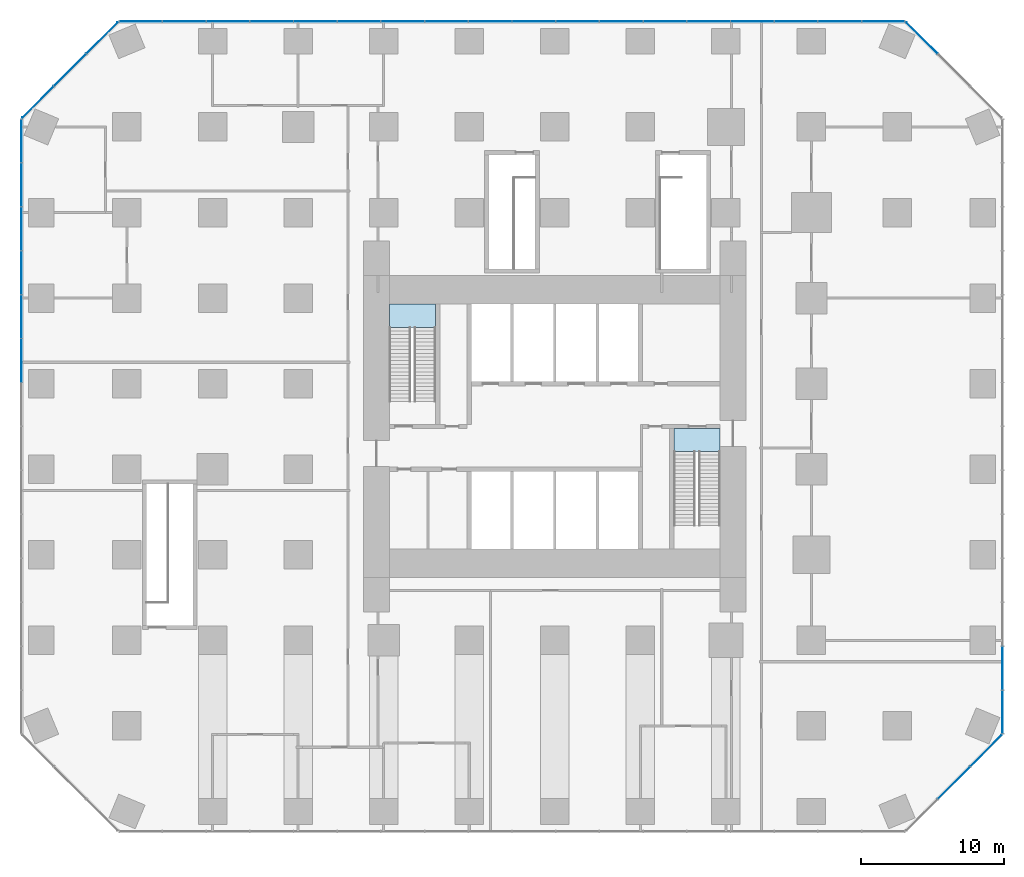
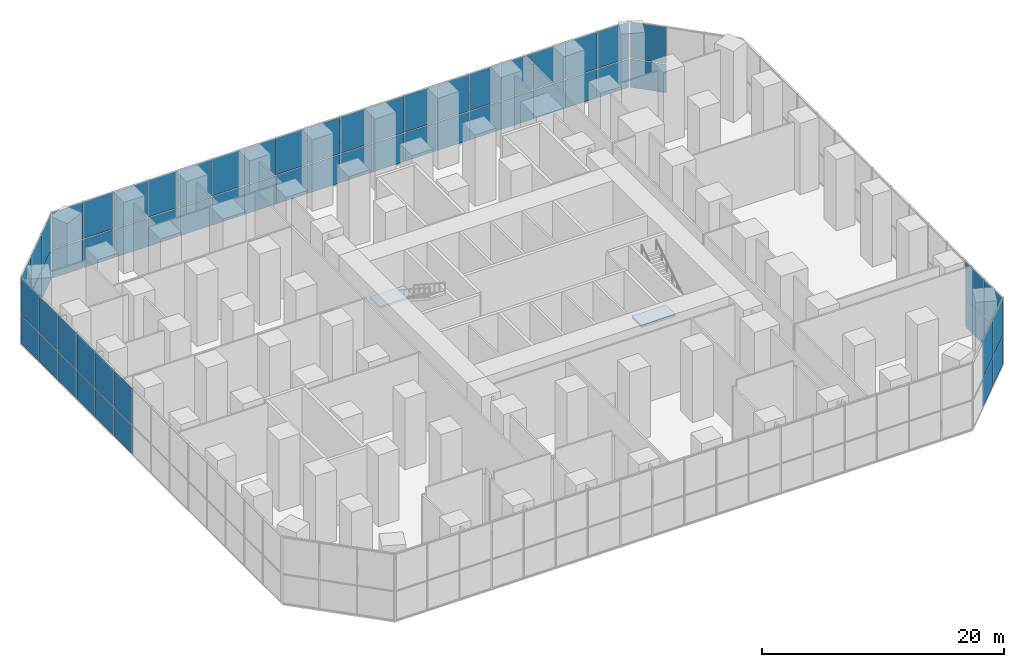
# One storey, part 10 of 16: 64 plates, 2 slabs, 8 elements without a shape of their own.
"""IFC4 building model written with IfcOpenShell, lengths in metres."""

from ifc_helpers import new_model, si_unit, direction, frame, origin, origin_2d, place, context, subcontext, project, spatial, polyline, rectangle, outline, extrude, material, layer, layer_set, type_object, element, aggregate, save


model = new_model("IFC4")

# Units and contexts
model_context = context("Model", 3, precision=1e-05, world=origin(), true_north=direction((0.0, 1.0)))
body_context = subcontext(model_context, "Body", "Model", "MODEL_VIEW")
ifc_project = project(units=[si_unit("LENGTHUNIT", "METRE"), si_unit("AREAUNIT", "SQUARE_METRE"), si_unit("VOLUMEUNIT", "CUBIC_METRE"), si_unit("PLANEANGLEUNIT", "RADIAN"), si_unit("MASSUNIT", "GRAM", prefix="KILO")], contexts=[model_context])

# Site, building, storey
site_placement = place(None, origin())
site = spatial("IfcSite", under=ifc_project, at=site_placement, CompositionType="ELEMENT")
building_placement = place(site_placement, origin())
building = spatial("IfcBuilding", under=site, at=building_placement, Name="Highveld Stack Headquarters", CompositionType="ELEMENT")
storey_placement = place(building_placement, frame((0.0, 0.0, 11.0)))
storey = spatial("IfcBuildingStorey", under=building, at=storey_placement, Name="L02", CompositionType="ELEMENT", Elevation=11.0)

# Curtain wall, plates
ifc_material_1 = material(Name="Aluminium bronze anodised", Category="aluminium")
ifc_layer_1 = layer(ifc_material_1, 0.199951171875)
ifc_layer_set_1 = layer_set([ifc_layer_1], Name="Aluminium bronze anodised")
curtain_wall_type = type_object("IfcCurtainWallType", Name="CW3 PODIUM STICK CURTAIN WALL", PredefinedType="NOTDEFINED", material=ifc_layer_set_1)
curtain_wall_1_placement = place(storey_placement, origin())
curtain_wall_1 = element("IfcCurtainWall", 1, at=curtain_wall_1_placement, inside=storey, type_object=curtain_wall_type, Name="Curtain wall CW3 L02 SE", PredefinedType="NOTDEFINED")
ifc_material_2 = material(Name="Glass clear low-iron double glazed unit", Category="glass")
ifc_layer_2 = layer(ifc_material_2, 0.035888671875)
ifc_layer_set_2 = layer_set([ifc_layer_2], Name="Glass clear low-iron double glazed unit")
plate_type = type_object("IfcPlateType", Name="CW3 PANEL CLEAR LOW-IRON DOUBLE GLAZED UNIT", PredefinedType="CURTAIN_PANEL", material=ifc_layer_set_2)
plate_1_placement = place(storey_placement, frame((33.989990234375, -21.989990234375, 0.099853515625), z_axis=(0.0, 0.0, 1.0), x_axis=(0.707106781187, 0.707106781187, 0.0)))
plate_1 = element("IfcPlate", 2, at=plate_1_placement, type_object=plate_type, Name="CW3 panel L02 2.1", PredefinedType="CURTAIN_PANEL", context=body_context, shape_type="SweptSolid", body=[
    extrude(rectangle(XDim=3.14990234375, YDim=0.035888671875, at=origin_2d()), origin(), (0.0, 0.0, 1.0), 2.85009765625),
])
plate_2_placement = place(storey_placement, frame((33.989990234375, -21.989990234375, 3.050048828125), z_axis=(0.0, 0.0, 1.0), x_axis=(0.707106781187, 0.707106781187, 0.0)))
plate_2 = element("IfcPlate", 3, at=plate_2_placement, type_object=plate_type, Name="CW3 panel L02 2.2", PredefinedType="CURTAIN_PANEL", context=body_context, shape_type="SweptSolid", body=[
    extrude(rectangle(XDim=3.14990234375, YDim=0.035888671875, at=origin_2d()), origin(), (0.0, 0.0, 1.0), 3.64990234375),
])
plate_3_placement = place(storey_placement, frame((36.239501953125, -19.740478515625, 0.099853515625), z_axis=(0.0, 0.0, 1.0), x_axis=(0.707106781187, 0.707106781187, 0.0)))
plate_3 = element("IfcPlate", 4, at=plate_3_placement, type_object=plate_type, Name="CW3 panel L02 3.1", PredefinedType="CURTAIN_PANEL", context=body_context, shape_type="SweptSolid", body=[
    extrude(rectangle(XDim=3.08251953125, YDim=0.035888671875, at=origin_2d()), origin(), (0.0, 0.0, 1.0), 2.85009765625),
])
plate_4_placement = place(storey_placement, frame((36.239501953125, -19.740478515625, 3.050048828125), z_axis=(0.0, 0.0, 1.0), x_axis=(0.707106781187, 0.707106781187, 0.0)))
plate_4 = element("IfcPlate", 5, at=plate_4_placement, type_object=plate_type, Name="CW3 panel L02 3.2", PredefinedType="CURTAIN_PANEL", context=body_context, shape_type="SweptSolid", body=[
    extrude(rectangle(XDim=3.08251953125, YDim=0.035888671875, at=origin_2d()), origin(), (0.0, 0.0, 1.0), 3.64990234375),
])
aggregate(curtain_wall_1, [plate_1, plate_2, plate_3, plate_4])

curtain_wall_2_placement = place(storey_placement, origin())
curtain_wall_2 = element("IfcCurtainWall", 6, at=curtain_wall_2_placement, inside=storey, type_object=curtain_wall_type, Name="Curtain wall CW3 L02 E", PredefinedType="NOTDEFINED")
plate_5_placement = place(storey_placement, frame((37.39990234375, -17.022216796875, 0.099853515625), z_axis=(0.0, 0.0, 1.0), x_axis=(0.0, 1.0, 0.0)))
plate_5 = element("IfcPlate", 7, at=plate_5_placement, type_object=plate_type, Name="CW3 panel L02 1.1", PredefinedType="CURTAIN_PANEL", context=body_context, shape_type="SweptSolid", body=[
    extrude(rectangle(XDim=2.9853515625, YDim=0.035888671875, at=origin_2d()), origin(), (0.0, 0.0, 1.0), 2.85009765625),
])
plate_6_placement = place(storey_placement, frame((37.39990234375, -17.022216796875, 3.050048828125), z_axis=(0.0, 0.0, 1.0), x_axis=(0.0, 1.0, 0.0)))
plate_6 = element("IfcPlate", 8, at=plate_6_placement, type_object=plate_type, Name="CW3 panel L02 1.2", PredefinedType="CURTAIN_PANEL", context=body_context, shape_type="SweptSolid", body=[
    extrude(rectangle(XDim=2.9853515625, YDim=0.035888671875, at=origin_2d()), origin(), (0.0, 0.0, 1.0), 3.64990234375),
])
plate_7_placement = place(storey_placement, frame((37.39990234375, -13.95556640625, 0.099853515625), z_axis=(0.0, 0.0, 1.0), x_axis=(0.0, 1.0, 0.0)))
plate_7 = element("IfcPlate", 9, at=plate_7_placement, type_object=plate_type, Name="CW3 panel L02 2.1", PredefinedType="CURTAIN_PANEL", context=body_context, shape_type="SweptSolid", body=[
    extrude(rectangle(XDim=3.017822265625, YDim=0.035888671875, at=origin_2d()), origin(), (0.0, 0.0, 1.0), 2.85009765625),
])
plate_8_placement = place(storey_placement, frame((37.39990234375, -13.95556640625, 3.050048828125), z_axis=(0.0, 0.0, 1.0), x_axis=(0.0, 1.0, 0.0)))
plate_8 = element("IfcPlate", 10, at=plate_8_placement, type_object=plate_type, Name="CW3 panel L02 2.2", PredefinedType="CURTAIN_PANEL", context=body_context, shape_type="SweptSolid", body=[
    extrude(rectangle(XDim=3.017822265625, YDim=0.035888671875, at=origin_2d()), origin(), (0.0, 0.0, 1.0), 3.64990234375),
])
aggregate(curtain_wall_2, [plate_5, plate_6, plate_7, plate_8])

curtain_wall_3_placement = place(storey_placement, origin())
curtain_wall_3 = element("IfcCurtainWall", 11, at=curtain_wall_3_placement, inside=storey, type_object=curtain_wall_type, Name="Curtain wall CW3 L02 NE", PredefinedType="NOTDEFINED")
plate_9_placement = place(storey_placement, frame((31.740478515625, 30.239501953125, 0.099853515625), z_axis=(0.0, 0.0, 1.0), x_axis=(-0.707106781187, 0.707106781187, 0.0)))
plate_9 = element("IfcPlate", 12, at=plate_9_placement, type_object=plate_type, Name="CW3 panel L02 3.1", PredefinedType="CURTAIN_PANEL", context=body_context, shape_type="SweptSolid", body=[
    extrude(rectangle(XDim=3.08251953125, YDim=0.035888671875, at=origin_2d()), origin(), (0.0, 0.0, 1.0), 2.85009765625),
])
plate_10_placement = place(storey_placement, frame((31.740478515625, 30.239501953125, 3.050048828125), z_axis=(0.0, 0.0, 1.0), x_axis=(-0.707106781187, 0.707106781187, 0.0)))
plate_10 = element("IfcPlate", 13, at=plate_10_placement, type_object=plate_type, Name="CW3 panel L02 3.2", PredefinedType="CURTAIN_PANEL", context=body_context, shape_type="SweptSolid", body=[
    extrude(rectangle(XDim=3.08251953125, YDim=0.035888671875, at=origin_2d()), origin(), (0.0, 0.0, 1.0), 3.64990234375),
])
aggregate(curtain_wall_3, [plate_9, plate_10])

curtain_wall_4_placement = place(storey_placement, origin())
curtain_wall_4 = element("IfcCurtainWall", 14, at=curtain_wall_4_placement, inside=storey, type_object=curtain_wall_type, Name="Curtain wall CW3 L02 N", PredefinedType="NOTDEFINED")
plate_11_placement = place(storey_placement, frame((29.031494140625, 31.39990234375, 0.099853515625), z_axis=(0.0, 0.0, 1.0), x_axis=(-1.0, 0.0, 0.0)))
plate_11 = element("IfcPlate", 15, at=plate_11_placement, type_object=plate_type, Name="CW3 panel L02 1.1", PredefinedType="CURTAIN_PANEL", context=body_context, shape_type="SweptSolid", body=[
    extrude(rectangle(XDim=2.966796875, YDim=0.035888671875, at=origin_2d()), origin(), (0.0, 0.0, 1.0), 2.85009765625),
])
plate_12_placement = place(storey_placement, frame((29.031494140625, 31.39990234375, 3.050048828125), z_axis=(0.0, 0.0, 1.0), x_axis=(-1.0, 0.0, 0.0)))
plate_12 = element("IfcPlate", 16, at=plate_12_placement, type_object=plate_type, Name="CW3 panel L02 1.2", PredefinedType="CURTAIN_PANEL", context=body_context, shape_type="SweptSolid", body=[
    extrude(rectangle(XDim=2.966796875, YDim=0.035888671875, at=origin_2d()), origin(), (0.0, 0.0, 1.0), 3.64990234375),
])
plate_13_placement = place(storey_placement, frame((25.983154296875, 31.39990234375, 0.099853515625), z_axis=(0.0, 0.0, 1.0), x_axis=(-1.0, 0.0, 0.0)))
plate_13 = element("IfcPlate", 17, at=plate_13_placement, type_object=plate_type, Name="CW3 panel L02 2.1", PredefinedType="CURTAIN_PANEL", context=body_context, shape_type="SweptSolid", body=[
    extrude(rectangle(XDim=2.99951171875, YDim=0.035888671875, at=origin_2d()), origin(), (0.0, 0.0, 1.0), 2.85009765625),
])
plate_14_placement = place(storey_placement, frame((25.983154296875, 31.39990234375, 3.050048828125), z_axis=(0.0, 0.0, 1.0), x_axis=(-1.0, 0.0, 0.0)))
plate_14 = element("IfcPlate", 18, at=plate_14_placement, type_object=plate_type, Name="CW3 panel L02 2.2", PredefinedType="CURTAIN_PANEL", context=body_context, shape_type="SweptSolid", body=[
    extrude(rectangle(XDim=2.99951171875, YDim=0.035888671875, at=origin_2d()), origin(), (0.0, 0.0, 1.0), 3.64990234375),
])
plate_15_placement = place(storey_placement, frame((22.918701171875, 31.39990234375, 0.099853515625), z_axis=(0.0, 0.0, 1.0), x_axis=(-1.0, 0.0, 0.0)))
plate_15 = element("IfcPlate", 19, at=plate_15_placement, type_object=plate_type, Name="CW3 panel L02 3.1", PredefinedType="CURTAIN_PANEL", context=body_context, shape_type="SweptSolid", body=[
    extrude(rectangle(XDim=2.99951171875, YDim=0.035888671875, at=origin_2d()), origin(), (0.0, 0.0, 1.0), 2.85009765625),
])
plate_16_placement = place(storey_placement, frame((22.918701171875, 31.39990234375, 3.050048828125), z_axis=(0.0, 0.0, 1.0), x_axis=(-1.0, 0.0, 0.0)))
plate_16 = element("IfcPlate", 20, at=plate_16_placement, type_object=plate_type, Name="CW3 panel L02 3.2", PredefinedType="CURTAIN_PANEL", context=body_context, shape_type="SweptSolid", body=[
    extrude(rectangle(XDim=2.99951171875, YDim=0.035888671875, at=origin_2d()), origin(), (0.0, 0.0, 1.0), 3.64990234375),
])
plate_17_placement = place(storey_placement, frame((19.8544921875, 31.39990234375, 0.099853515625), z_axis=(0.0, 0.0, 1.0), x_axis=(-1.0, 0.0, 0.0)))
plate_17 = element("IfcPlate", 21, at=plate_17_placement, type_object=plate_type, Name="CW3 panel L02 4.1", PredefinedType="CURTAIN_PANEL", context=body_context, shape_type="SweptSolid", body=[
    extrude(rectangle(XDim=2.99951171875, YDim=0.035888671875, at=origin_2d()), origin(), (0.0, 0.0, 1.0), 2.85009765625),
])
plate_18_placement = place(storey_placement, frame((19.8544921875, 31.39990234375, 3.050048828125), z_axis=(0.0, 0.0, 1.0), x_axis=(-1.0, 0.0, 0.0)))
plate_18 = element("IfcPlate", 22, at=plate_18_placement, type_object=plate_type, Name="CW3 panel L02 4.2", PredefinedType="CURTAIN_PANEL", context=body_context, shape_type="SweptSolid", body=[
    extrude(rectangle(XDim=2.99951171875, YDim=0.035888671875, at=origin_2d()), origin(), (0.0, 0.0, 1.0), 3.64990234375),
])
plate_19_placement = place(storey_placement, frame((16.789794921875, 31.39990234375, 0.099853515625), z_axis=(0.0, 0.0, 1.0), x_axis=(-1.0, 0.0, 0.0)))
plate_19 = element("IfcPlate", 23, at=plate_19_placement, type_object=plate_type, Name="CW3 panel L02 5.1", PredefinedType="CURTAIN_PANEL", context=body_context, shape_type="SweptSolid", body=[
    extrude(rectangle(XDim=2.99951171875, YDim=0.035888671875, at=origin_2d()), origin(), (0.0, 0.0, 1.0), 2.85009765625),
])
plate_20_placement = place(storey_placement, frame((16.789794921875, 31.39990234375, 3.050048828125), z_axis=(0.0, 0.0, 1.0), x_axis=(-1.0, 0.0, 0.0)))
plate_20 = element("IfcPlate", 24, at=plate_20_placement, type_object=plate_type, Name="CW3 panel L02 5.2", PredefinedType="CURTAIN_PANEL", context=body_context, shape_type="SweptSolid", body=[
    extrude(rectangle(XDim=2.99951171875, YDim=0.035888671875, at=origin_2d()), origin(), (0.0, 0.0, 1.0), 3.64990234375),
])
plate_21_placement = place(storey_placement, frame((13.7255859375, 31.39990234375, 0.099853515625), z_axis=(0.0, 0.0, 1.0), x_axis=(-1.0, 0.0, 0.0)))
plate_21 = element("IfcPlate", 25, at=plate_21_placement, type_object=plate_type, Name="CW3 panel L02 6.1", PredefinedType="CURTAIN_PANEL", context=body_context, shape_type="SweptSolid", body=[
    extrude(rectangle(XDim=2.99951171875, YDim=0.035888671875, at=origin_2d()), origin(), (0.0, 0.0, 1.0), 2.85009765625),
])
plate_22_placement = place(storey_placement, frame((13.7255859375, 31.39990234375, 3.050048828125), z_axis=(0.0, 0.0, 1.0), x_axis=(-1.0, 0.0, 0.0)))
plate_22 = element("IfcPlate", 26, at=plate_22_placement, type_object=plate_type, Name="CW3 panel L02 6.2", PredefinedType="CURTAIN_PANEL", context=body_context, shape_type="SweptSolid", body=[
    extrude(rectangle(XDim=2.99951171875, YDim=0.035888671875, at=origin_2d()), origin(), (0.0, 0.0, 1.0), 3.64990234375),
])
plate_23_placement = place(storey_placement, frame((10.6611328125, 31.39990234375, 0.099853515625), z_axis=(0.0, 0.0, 1.0), x_axis=(-1.0, 0.0, 0.0)))
plate_23 = element("IfcPlate", 27, at=plate_23_placement, type_object=plate_type, Name="CW3 panel L02 7.1", PredefinedType="CURTAIN_PANEL", context=body_context, shape_type="SweptSolid", body=[
    extrude(rectangle(XDim=2.99951171875, YDim=0.035888671875, at=origin_2d()), origin(), (0.0, 0.0, 1.0), 2.85009765625),
])
plate_24_placement = place(storey_placement, frame((10.6611328125, 31.39990234375, 3.050048828125), z_axis=(0.0, 0.0, 1.0), x_axis=(-1.0, 0.0, 0.0)))
plate_24 = element("IfcPlate", 28, at=plate_24_placement, type_object=plate_type, Name="CW3 panel L02 7.2", PredefinedType="CURTAIN_PANEL", context=body_context, shape_type="SweptSolid", body=[
    extrude(rectangle(XDim=2.99951171875, YDim=0.035888671875, at=origin_2d()), origin(), (0.0, 0.0, 1.0), 3.64990234375),
])
plate_25_placement = place(storey_placement, frame((7.5966796875, 31.39990234375, 0.099853515625), z_axis=(0.0, 0.0, 1.0), x_axis=(-1.0, 0.0, 0.0)))
plate_25 = element("IfcPlate", 29, at=plate_25_placement, type_object=plate_type, Name="CW3 panel L02 8.1", PredefinedType="CURTAIN_PANEL", context=body_context, shape_type="SweptSolid", body=[
    extrude(rectangle(XDim=2.99951171875, YDim=0.035888671875, at=origin_2d()), origin(), (0.0, 0.0, 1.0), 2.85009765625),
])
plate_26_placement = place(storey_placement, frame((7.5966796875, 31.39990234375, 3.050048828125), z_axis=(0.0, 0.0, 1.0), x_axis=(-1.0, 0.0, 0.0)))
plate_26 = element("IfcPlate", 30, at=plate_26_placement, type_object=plate_type, Name="CW3 panel L02 8.2", PredefinedType="CURTAIN_PANEL", context=body_context, shape_type="SweptSolid", body=[
    extrude(rectangle(XDim=2.99951171875, YDim=0.035888671875, at=origin_2d()), origin(), (0.0, 0.0, 1.0), 3.64990234375),
])
plate_27_placement = place(storey_placement, frame((4.5322265625, 31.39990234375, 0.099853515625), z_axis=(0.0, 0.0, 1.0), x_axis=(-1.0, 0.0, 0.0)))
plate_27 = element("IfcPlate", 31, at=plate_27_placement, type_object=plate_type, Name="CW3 panel L02 9.1", PredefinedType="CURTAIN_PANEL", context=body_context, shape_type="SweptSolid", body=[
    extrude(rectangle(XDim=2.99951171875, YDim=0.035888671875, at=origin_2d()), origin(), (0.0, 0.0, 1.0), 2.85009765625),
])
plate_28_placement = place(storey_placement, frame((4.5322265625, 31.39990234375, 3.050048828125), z_axis=(0.0, 0.0, 1.0), x_axis=(-1.0, 0.0, 0.0)))
plate_28 = element("IfcPlate", 32, at=plate_28_placement, type_object=plate_type, Name="CW3 panel L02 9.2", PredefinedType="CURTAIN_PANEL", context=body_context, shape_type="SweptSolid", body=[
    extrude(rectangle(XDim=2.99951171875, YDim=0.035888671875, at=origin_2d()), origin(), (0.0, 0.0, 1.0), 3.64990234375),
])
plate_29_placement = place(storey_placement, frame((1.4677734375, 31.39990234375, 0.099853515625), z_axis=(0.0, 0.0, 1.0), x_axis=(-1.0, 0.0, 0.0)))
plate_29 = element("IfcPlate", 33, at=plate_29_placement, type_object=plate_type, Name="CW3 panel L02 10.1", PredefinedType="CURTAIN_PANEL", context=body_context, shape_type="SweptSolid", body=[
    extrude(rectangle(XDim=2.99951171875, YDim=0.035888671875, at=origin_2d()), origin(), (0.0, 0.0, 1.0), 2.85009765625),
])
plate_30_placement = place(storey_placement, frame((1.4677734375, 31.39990234375, 3.050048828125), z_axis=(0.0, 0.0, 1.0), x_axis=(-1.0, 0.0, 0.0)))
plate_30 = element("IfcPlate", 34, at=plate_30_placement, type_object=plate_type, Name="CW3 panel L02 10.2", PredefinedType="CURTAIN_PANEL", context=body_context, shape_type="SweptSolid", body=[
    extrude(rectangle(XDim=2.99951171875, YDim=0.035888671875, at=origin_2d()), origin(), (0.0, 0.0, 1.0), 3.64990234375),
])
plate_31_placement = place(storey_placement, frame((-1.5966796875, 31.39990234375, 0.099853515625), z_axis=(0.0, 0.0, 1.0), x_axis=(-1.0, 0.0, 0.0)))
plate_31 = element("IfcPlate", 35, at=plate_31_placement, type_object=plate_type, Name="CW3 panel L02 11.1", PredefinedType="CURTAIN_PANEL", context=body_context, shape_type="SweptSolid", body=[
    extrude(rectangle(XDim=2.99951171875, YDim=0.035888671875, at=origin_2d()), origin(), (0.0, 0.0, 1.0), 2.85009765625),
])
plate_32_placement = place(storey_placement, frame((-1.5966796875, 31.39990234375, 3.050048828125), z_axis=(0.0, 0.0, 1.0), x_axis=(-1.0, 0.0, 0.0)))
plate_32 = element("IfcPlate", 36, at=plate_32_placement, type_object=plate_type, Name="CW3 panel L02 11.2", PredefinedType="CURTAIN_PANEL", context=body_context, shape_type="SweptSolid", body=[
    extrude(rectangle(XDim=2.99951171875, YDim=0.035888671875, at=origin_2d()), origin(), (0.0, 0.0, 1.0), 3.64990234375),
])
plate_33_placement = place(storey_placement, frame((-4.6611328125, 31.39990234375, 0.099853515625), z_axis=(0.0, 0.0, 1.0), x_axis=(-1.0, 0.0, 0.0)))
plate_33 = element("IfcPlate", 37, at=plate_33_placement, type_object=plate_type, Name="CW3 panel L02 12.1", PredefinedType="CURTAIN_PANEL", context=body_context, shape_type="SweptSolid", body=[
    extrude(rectangle(XDim=2.99951171875, YDim=0.035888671875, at=origin_2d()), origin(), (0.0, 0.0, 1.0), 2.85009765625),
])
plate_34_placement = place(storey_placement, frame((-4.6611328125, 31.39990234375, 3.050048828125), z_axis=(0.0, 0.0, 1.0), x_axis=(-1.0, 0.0, 0.0)))
plate_34 = element("IfcPlate", 38, at=plate_34_placement, type_object=plate_type, Name="CW3 panel L02 12.2", PredefinedType="CURTAIN_PANEL", context=body_context, shape_type="SweptSolid", body=[
    extrude(rectangle(XDim=2.99951171875, YDim=0.035888671875, at=origin_2d()), origin(), (0.0, 0.0, 1.0), 3.64990234375),
])
plate_35_placement = place(storey_placement, frame((-7.7255859375, 31.39990234375, 0.099853515625), z_axis=(0.0, 0.0, 1.0), x_axis=(-1.0, 0.0, 0.0)))
plate_35 = element("IfcPlate", 39, at=plate_35_placement, type_object=plate_type, Name="CW3 panel L02 13.1", PredefinedType="CURTAIN_PANEL", context=body_context, shape_type="SweptSolid", body=[
    extrude(rectangle(XDim=2.99951171875, YDim=0.035888671875, at=origin_2d()), origin(), (0.0, 0.0, 1.0), 2.85009765625),
])
plate_36_placement = place(storey_placement, frame((-7.7255859375, 31.39990234375, 3.050048828125), z_axis=(0.0, 0.0, 1.0), x_axis=(-1.0, 0.0, 0.0)))
plate_36 = element("IfcPlate", 40, at=plate_36_placement, type_object=plate_type, Name="CW3 panel L02 13.2", PredefinedType="CURTAIN_PANEL", context=body_context, shape_type="SweptSolid", body=[
    extrude(rectangle(XDim=2.99951171875, YDim=0.035888671875, at=origin_2d()), origin(), (0.0, 0.0, 1.0), 3.64990234375),
])
plate_37_placement = place(storey_placement, frame((-10.7900390625, 31.39990234375, 0.099853515625), z_axis=(0.0, 0.0, 1.0), x_axis=(-1.0, 0.0, 0.0)))
plate_37 = element("IfcPlate", 41, at=plate_37_placement, type_object=plate_type, Name="CW3 panel L02 14.1", PredefinedType="CURTAIN_PANEL", context=body_context, shape_type="SweptSolid", body=[
    extrude(rectangle(XDim=2.99951171875, YDim=0.035888671875, at=origin_2d()), origin(), (0.0, 0.0, 1.0), 2.85009765625),
])
plate_38_placement = place(storey_placement, frame((-10.7900390625, 31.39990234375, 3.050048828125), z_axis=(0.0, 0.0, 1.0), x_axis=(-1.0, 0.0, 0.0)))
plate_38 = element("IfcPlate", 42, at=plate_38_placement, type_object=plate_type, Name="CW3 panel L02 14.2", PredefinedType="CURTAIN_PANEL", context=body_context, shape_type="SweptSolid", body=[
    extrude(rectangle(XDim=2.99951171875, YDim=0.035888671875, at=origin_2d()), origin(), (0.0, 0.0, 1.0), 3.64990234375),
])
plate_39_placement = place(storey_placement, frame((-13.8544921875, 31.39990234375, 0.099853515625), z_axis=(0.0, 0.0, 1.0), x_axis=(-1.0, 0.0, 0.0)))
plate_39 = element("IfcPlate", 43, at=plate_39_placement, type_object=plate_type, Name="CW3 panel L02 15.1", PredefinedType="CURTAIN_PANEL", context=body_context, shape_type="SweptSolid", body=[
    extrude(rectangle(XDim=2.99951171875, YDim=0.035888671875, at=origin_2d()), origin(), (0.0, 0.0, 1.0), 2.85009765625),
])
plate_40_placement = place(storey_placement, frame((-13.8544921875, 31.39990234375, 3.050048828125), z_axis=(0.0, 0.0, 1.0), x_axis=(-1.0, 0.0, 0.0)))
plate_40 = element("IfcPlate", 44, at=plate_40_placement, type_object=plate_type, Name="CW3 panel L02 15.2", PredefinedType="CURTAIN_PANEL", context=body_context, shape_type="SweptSolid", body=[
    extrude(rectangle(XDim=2.99951171875, YDim=0.035888671875, at=origin_2d()), origin(), (0.0, 0.0, 1.0), 3.64990234375),
])
plate_41_placement = place(storey_placement, frame((-16.918701171875, 31.39990234375, 0.099853515625), z_axis=(0.0, 0.0, 1.0), x_axis=(-1.0, 0.0, 0.0)))
plate_41 = element("IfcPlate", 45, at=plate_41_placement, type_object=plate_type, Name="CW3 panel L02 16.1", PredefinedType="CURTAIN_PANEL", context=body_context, shape_type="SweptSolid", body=[
    extrude(rectangle(XDim=2.99951171875, YDim=0.035888671875, at=origin_2d()), origin(), (0.0, 0.0, 1.0), 2.85009765625),
])
plate_42_placement = place(storey_placement, frame((-16.918701171875, 31.39990234375, 3.050048828125), z_axis=(0.0, 0.0, 1.0), x_axis=(-1.0, 0.0, 0.0)))
plate_42 = element("IfcPlate", 46, at=plate_42_placement, type_object=plate_type, Name="CW3 panel L02 16.2", PredefinedType="CURTAIN_PANEL", context=body_context, shape_type="SweptSolid", body=[
    extrude(rectangle(XDim=2.99951171875, YDim=0.035888671875, at=origin_2d()), origin(), (0.0, 0.0, 1.0), 3.64990234375),
])
plate_43_placement = place(storey_placement, frame((-19.983154296875, 31.39990234375, 0.099853515625), z_axis=(0.0, 0.0, 1.0), x_axis=(-1.0, 0.0, 0.0)))
plate_43 = element("IfcPlate", 47, at=plate_43_placement, type_object=plate_type, Name="CW3 panel L02 17.1", PredefinedType="CURTAIN_PANEL", context=body_context, shape_type="SweptSolid", body=[
    extrude(rectangle(XDim=2.99951171875, YDim=0.035888671875, at=origin_2d()), origin(), (0.0, 0.0, 1.0), 2.85009765625),
])
plate_44_placement = place(storey_placement, frame((-19.983154296875, 31.39990234375, 3.050048828125), z_axis=(0.0, 0.0, 1.0), x_axis=(-1.0, 0.0, 0.0)))
plate_44 = element("IfcPlate", 48, at=plate_44_placement, type_object=plate_type, Name="CW3 panel L02 17.2", PredefinedType="CURTAIN_PANEL", context=body_context, shape_type="SweptSolid", body=[
    extrude(rectangle(XDim=2.99951171875, YDim=0.035888671875, at=origin_2d()), origin(), (0.0, 0.0, 1.0), 3.64990234375),
])
plate_45_placement = place(storey_placement, frame((-23.031494140625, 31.39990234375, 0.099853515625), z_axis=(0.0, 0.0, 1.0), x_axis=(-1.0, 0.0, 0.0)))
plate_45 = element("IfcPlate", 49, at=plate_45_placement, type_object=plate_type, Name="CW3 panel L02 18.1", PredefinedType="CURTAIN_PANEL", context=body_context, shape_type="SweptSolid", body=[
    extrude(rectangle(XDim=2.966796875, YDim=0.035888671875, at=origin_2d()), origin(), (0.0, 0.0, 1.0), 2.85009765625),
])
plate_46_placement = place(storey_placement, frame((-23.031494140625, 31.39990234375, 3.050048828125), z_axis=(0.0, 0.0, 1.0), x_axis=(-1.0, 0.0, 0.0)))
plate_46 = element("IfcPlate", 50, at=plate_46_placement, type_object=plate_type, Name="CW3 panel L02 18.2", PredefinedType="CURTAIN_PANEL", context=body_context, shape_type="SweptSolid", body=[
    extrude(rectangle(XDim=2.966796875, YDim=0.035888671875, at=origin_2d()), origin(), (0.0, 0.0, 1.0), 3.64990234375),
])
aggregate(curtain_wall_4, [plate_11, plate_12, plate_13, plate_14, plate_15, plate_16, plate_17, plate_18, plate_19, plate_20, plate_21, plate_22, plate_23, plate_24, plate_25, plate_26, plate_27, plate_28, plate_29, plate_30, plate_31, plate_32, plate_33, plate_34, plate_35, plate_36, plate_37, plate_38, plate_39, plate_40, plate_41, plate_42, plate_43, plate_44, plate_45, plate_46])

curtain_wall_5_placement = place(storey_placement, origin())
curtain_wall_5 = element("IfcCurtainWall", 51, at=curtain_wall_5_placement, inside=storey, type_object=curtain_wall_type, Name="Curtain wall CW3 L02 NW", PredefinedType="NOTDEFINED")
plate_47_placement = place(storey_placement, frame((-25.740478515625, 30.239501953125, 0.099853515625), z_axis=(0.0, 0.0, 1.0), x_axis=(-0.707106781187, -0.707106781187, 0.0)))
plate_47 = element("IfcPlate", 52, at=plate_47_placement, type_object=plate_type, Name="CW3 panel L02 1.1", PredefinedType="CURTAIN_PANEL", context=body_context, shape_type="SweptSolid", body=[
    extrude(rectangle(XDim=3.08251953125, YDim=0.035888671875, at=origin_2d()), origin(), (0.0, 0.0, 1.0), 2.85009765625),
])
plate_48_placement = place(storey_placement, frame((-25.740478515625, 30.239501953125, 3.050048828125), z_axis=(0.0, 0.0, 1.0), x_axis=(-0.707106781187, -0.707106781187, 0.0)))
plate_48 = element("IfcPlate", 53, at=plate_48_placement, type_object=plate_type, Name="CW3 panel L02 1.2", PredefinedType="CURTAIN_PANEL", context=body_context, shape_type="SweptSolid", body=[
    extrude(rectangle(XDim=3.08251953125, YDim=0.035888671875, at=origin_2d()), origin(), (0.0, 0.0, 1.0), 3.64990234375),
])
plate_49_placement = place(storey_placement, frame((-27.989990234375, 27.989990234375, 0.099853515625), z_axis=(0.0, 0.0, 1.0), x_axis=(-0.707106781187, -0.707106781187, 0.0)))
plate_49 = element("IfcPlate", 54, at=plate_49_placement, type_object=plate_type, Name="CW3 panel L02 2.1", PredefinedType="CURTAIN_PANEL", context=body_context, shape_type="SweptSolid", body=[
    extrude(rectangle(XDim=3.14990234375, YDim=0.035888671875, at=origin_2d()), origin(), (0.0, 0.0, 1.0), 2.85009765625),
])
plate_50_placement = place(storey_placement, frame((-27.989990234375, 27.989990234375, 3.050048828125), z_axis=(0.0, 0.0, 1.0), x_axis=(-0.707106781187, -0.707106781187, 0.0)))
plate_50 = element("IfcPlate", 55, at=plate_50_placement, type_object=plate_type, Name="CW3 panel L02 2.2", PredefinedType="CURTAIN_PANEL", context=body_context, shape_type="SweptSolid", body=[
    extrude(rectangle(XDim=3.14990234375, YDim=0.035888671875, at=origin_2d()), origin(), (0.0, 0.0, 1.0), 3.64990234375),
])
plate_51_placement = place(storey_placement, frame((-30.239501953125, 25.740478515625, 0.099853515625), z_axis=(0.0, 0.0, 1.0), x_axis=(-0.707106781187, -0.707106781187, 0.0)))
plate_51 = element("IfcPlate", 56, at=plate_51_placement, type_object=plate_type, Name="CW3 panel L02 3.1", PredefinedType="CURTAIN_PANEL", context=body_context, shape_type="SweptSolid", body=[
    extrude(rectangle(XDim=3.08251953125, YDim=0.035888671875, at=origin_2d()), origin(), (0.0, 0.0, 1.0), 2.85009765625),
])
plate_52_placement = place(storey_placement, frame((-30.239501953125, 25.740478515625, 3.050048828125), z_axis=(0.0, 0.0, 1.0), x_axis=(-0.707106781187, -0.707106781187, 0.0)))
plate_52 = element("IfcPlate", 57, at=plate_52_placement, type_object=plate_type, Name="CW3 panel L02 3.2", PredefinedType="CURTAIN_PANEL", context=body_context, shape_type="SweptSolid", body=[
    extrude(rectangle(XDim=3.08251953125, YDim=0.035888671875, at=origin_2d()), origin(), (0.0, 0.0, 1.0), 3.64990234375),
])
aggregate(curtain_wall_5, [plate_47, plate_48, plate_49, plate_50, plate_51, plate_52])

curtain_wall_6_placement = place(storey_placement, origin())
curtain_wall_6 = element("IfcCurtainWall", 58, at=curtain_wall_6_placement, inside=storey, type_object=curtain_wall_type, Name="Curtain wall CW3 L02 W", PredefinedType="NOTDEFINED")
plate_53_placement = place(storey_placement, frame((-31.39990234375, 23.022216796875, 0.099853515625), z_axis=(0.0, 0.0, 1.0), x_axis=(0.0, -1.0, 0.0)))
plate_53 = element("IfcPlate", 59, at=plate_53_placement, type_object=plate_type, Name="CW3 panel L02 1.1", PredefinedType="CURTAIN_PANEL", context=body_context, shape_type="SweptSolid", body=[
    extrude(rectangle(XDim=2.9853515625, YDim=0.035888671875, at=origin_2d()), origin(), (0.0, 0.0, 1.0), 2.85009765625),
])
plate_54_placement = place(storey_placement, frame((-31.39990234375, 23.022216796875, 3.050048828125), z_axis=(0.0, 0.0, 1.0), x_axis=(0.0, -1.0, 0.0)))
plate_54 = element("IfcPlate", 60, at=plate_54_placement, type_object=plate_type, Name="CW3 panel L02 1.2", PredefinedType="CURTAIN_PANEL", context=body_context, shape_type="SweptSolid", body=[
    extrude(rectangle(XDim=2.9853515625, YDim=0.035888671875, at=origin_2d()), origin(), (0.0, 0.0, 1.0), 3.64990234375),
])
plate_55_placement = place(storey_placement, frame((-31.39990234375, 19.95556640625, 0.099853515625), z_axis=(0.0, 0.0, 1.0), x_axis=(0.0, -1.0, 0.0)))
plate_55 = element("IfcPlate", 61, at=plate_55_placement, type_object=plate_type, Name="CW3 panel L02 2.1", PredefinedType="CURTAIN_PANEL", context=body_context, shape_type="SweptSolid", body=[
    extrude(rectangle(XDim=3.017822265625, YDim=0.035888671875, at=origin_2d()), origin(), (0.0, 0.0, 1.0), 2.85009765625),
])
plate_56_placement = place(storey_placement, frame((-31.39990234375, 19.95556640625, 3.050048828125), z_axis=(0.0, 0.0, 1.0), x_axis=(0.0, -1.0, 0.0)))
plate_56 = element("IfcPlate", 62, at=plate_56_placement, type_object=plate_type, Name="CW3 panel L02 2.2", PredefinedType="CURTAIN_PANEL", context=body_context, shape_type="SweptSolid", body=[
    extrude(rectangle(XDim=3.017822265625, YDim=0.035888671875, at=origin_2d()), origin(), (0.0, 0.0, 1.0), 3.64990234375),
])
plate_57_placement = place(storey_placement, frame((-31.39990234375, 16.872802734375, 0.099853515625), z_axis=(0.0, 0.0, 1.0), x_axis=(0.0, -1.0, 0.0)))
plate_57 = element("IfcPlate", 63, at=plate_57_placement, type_object=plate_type, Name="CW3 panel L02 3.1", PredefinedType="CURTAIN_PANEL", context=body_context, shape_type="SweptSolid", body=[
    extrude(rectangle(XDim=3.017822265625, YDim=0.035888671875, at=origin_2d()), origin(), (0.0, 0.0, 1.0), 2.85009765625),
])
plate_58_placement = place(storey_placement, frame((-31.39990234375, 16.872802734375, 3.050048828125), z_axis=(0.0, 0.0, 1.0), x_axis=(0.0, -1.0, 0.0)))
plate_58 = element("IfcPlate", 64, at=plate_58_placement, type_object=plate_type, Name="CW3 panel L02 3.2", PredefinedType="CURTAIN_PANEL", context=body_context, shape_type="SweptSolid", body=[
    extrude(rectangle(XDim=3.017822265625, YDim=0.035888671875, at=origin_2d()), origin(), (0.0, 0.0, 1.0), 3.64990234375),
])
plate_59_placement = place(storey_placement, frame((-31.39990234375, 13.789794921875, 0.099853515625), z_axis=(0.0, 0.0, 1.0), x_axis=(0.0, -1.0, 0.0)))
plate_59 = element("IfcPlate", 65, at=plate_59_placement, type_object=plate_type, Name="CW3 panel L02 4.1", PredefinedType="CURTAIN_PANEL", context=body_context, shape_type="SweptSolid", body=[
    extrude(rectangle(XDim=3.017822265625, YDim=0.035888671875, at=origin_2d()), origin(), (0.0, 0.0, 1.0), 2.85009765625),
])
plate_60_placement = place(storey_placement, frame((-31.39990234375, 13.789794921875, 3.050048828125), z_axis=(0.0, 0.0, 1.0), x_axis=(0.0, -1.0, 0.0)))
plate_60 = element("IfcPlate", 66, at=plate_60_placement, type_object=plate_type, Name="CW3 panel L02 4.2", PredefinedType="CURTAIN_PANEL", context=body_context, shape_type="SweptSolid", body=[
    extrude(rectangle(XDim=3.017822265625, YDim=0.035888671875, at=origin_2d()), origin(), (0.0, 0.0, 1.0), 3.64990234375),
])
plate_61_placement = place(storey_placement, frame((-31.39990234375, 10.70703125, 0.099853515625), z_axis=(0.0, 0.0, 1.0), x_axis=(0.0, -1.0, 0.0)))
plate_61 = element("IfcPlate", 67, at=plate_61_placement, type_object=plate_type, Name="CW3 panel L02 5.1", PredefinedType="CURTAIN_PANEL", context=body_context, shape_type="SweptSolid", body=[
    extrude(rectangle(XDim=3.017822265625, YDim=0.035888671875, at=origin_2d()), origin(), (0.0, 0.0, 1.0), 2.85009765625),
])
plate_62_placement = place(storey_placement, frame((-31.39990234375, 10.70703125, 3.050048828125), z_axis=(0.0, 0.0, 1.0), x_axis=(0.0, -1.0, 0.0)))
plate_62 = element("IfcPlate", 68, at=plate_62_placement, type_object=plate_type, Name="CW3 panel L02 5.2", PredefinedType="CURTAIN_PANEL", context=body_context, shape_type="SweptSolid", body=[
    extrude(rectangle(XDim=3.017822265625, YDim=0.035888671875, at=origin_2d()), origin(), (0.0, 0.0, 1.0), 3.64990234375),
])
plate_63_placement = place(storey_placement, frame((-31.39990234375, 7.624267578125, 0.099853515625), z_axis=(0.0, 0.0, 1.0), x_axis=(0.0, -1.0, 0.0)))
plate_63 = element("IfcPlate", 69, at=plate_63_placement, type_object=plate_type, Name="CW3 panel L02 6.1", PredefinedType="CURTAIN_PANEL", context=body_context, shape_type="SweptSolid", body=[
    extrude(rectangle(XDim=3.017822265625, YDim=0.035888671875, at=origin_2d()), origin(), (0.0, 0.0, 1.0), 2.85009765625),
])
plate_64_placement = place(storey_placement, frame((-31.39990234375, 7.624267578125, 3.050048828125), z_axis=(0.0, 0.0, 1.0), x_axis=(0.0, -1.0, 0.0)))
plate_64 = element("IfcPlate", 70, at=plate_64_placement, type_object=plate_type, Name="CW3 panel L02 6.2", PredefinedType="CURTAIN_PANEL", context=body_context, shape_type="SweptSolid", body=[
    extrude(rectangle(XDim=3.017822265625, YDim=0.035888671875, at=origin_2d()), origin(), (0.0, 0.0, 1.0), 3.64990234375),
])
aggregate(curtain_wall_6, [plate_53, plate_54, plate_55, plate_56, plate_57, plate_58, plate_59, plate_60, plate_61, plate_62, plate_63, plate_64])

# Stair, slab
ifc_material_3 = material(Name="Concrete C40/50, precast", Category="concrete")
stair_type_1 = type_object("IfcStairType", Name="STAIR S1 HALF TURN 1500", PredefinedType="HALF_TURN_STAIR", material=ifc_material_3)
stair_1_placement = place(storey_placement, origin())
stair_1 = element("IfcStair", 71, at=stair_1_placement, inside=storey, type_object=stair_type_1, Name="Stair S1 L02", PredefinedType="HALF_TURN_STAIR")
ifc_material_4 = material(Name="Concrete C40/50, precast", Category="concrete")
ifc_layer_3 = layer(ifc_material_4, 0.199951171875)
ifc_layer_set_3 = layer_set([ifc_layer_3], Name="Concrete C40/50, precast")
slab_type = type_object("IfcSlabType", Name="STAIR LANDING 200", PredefinedType="LANDING", material=ifc_layer_set_3)
slab_1_placement = place(storey_placement, frame((0.0, 0.0, 3.39990234375)))
slab_1 = element("IfcSlab", 72, at=slab_1_placement, type_object=slab_type, Name="S1 landing 1", PredefinedType="LANDING", context=body_context, shape_type="SweptSolid", body=[
    extrude(outline(polyline([(-5.60009765625, 9.949951171875), (-2.35009765625, 9.949951171875), (-2.35009765625, 11.60009765625), (-5.60009765625, 11.60009765625), (-5.60009765625, 9.949951171875)])), origin(), (0.0, 0.0, 1.0), 0.2001953125),
])
aggregate(stair_1, [slab_1])

ifc_material_5 = material(Name="Concrete C40/50, precast", Category="concrete")
stair_type_2 = type_object("IfcStairType", Name="STAIR S2 HALF TURN 1500", PredefinedType="HALF_TURN_STAIR", material=ifc_material_5)
stair_2_placement = place(storey_placement, origin())
stair_2 = element("IfcStair", 73, at=stair_2_placement, inside=storey, type_object=stair_type_2, Name="Stair S2 L02", PredefinedType="HALF_TURN_STAIR")
slab_2_placement = place(storey_placement, frame((0.0, 0.0, -0.199951171875)))
slab_2 = element("IfcSlab", 74, at=slab_2_placement, type_object=slab_type, Name="S2 landing 2", PredefinedType="LANDING", context=body_context, shape_type="SweptSolid", body=[
    extrude(outline(polyline([(14.35009765625, 1.25), (17.60009765625, 1.25), (17.60009765625, 2.85009765625), (14.35009765625, 2.85009765625), (14.35009765625, 1.25)])), origin(), (0.0, 0.0, 1.0), 0.199951171875),
])
aggregate(stair_2, [slab_2])

save(model, "model.ifc")
